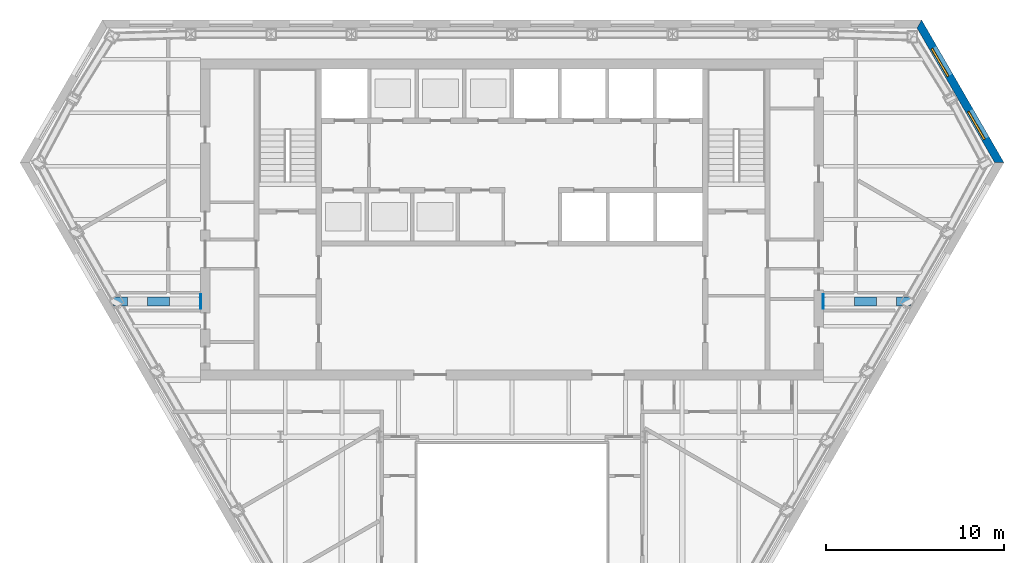
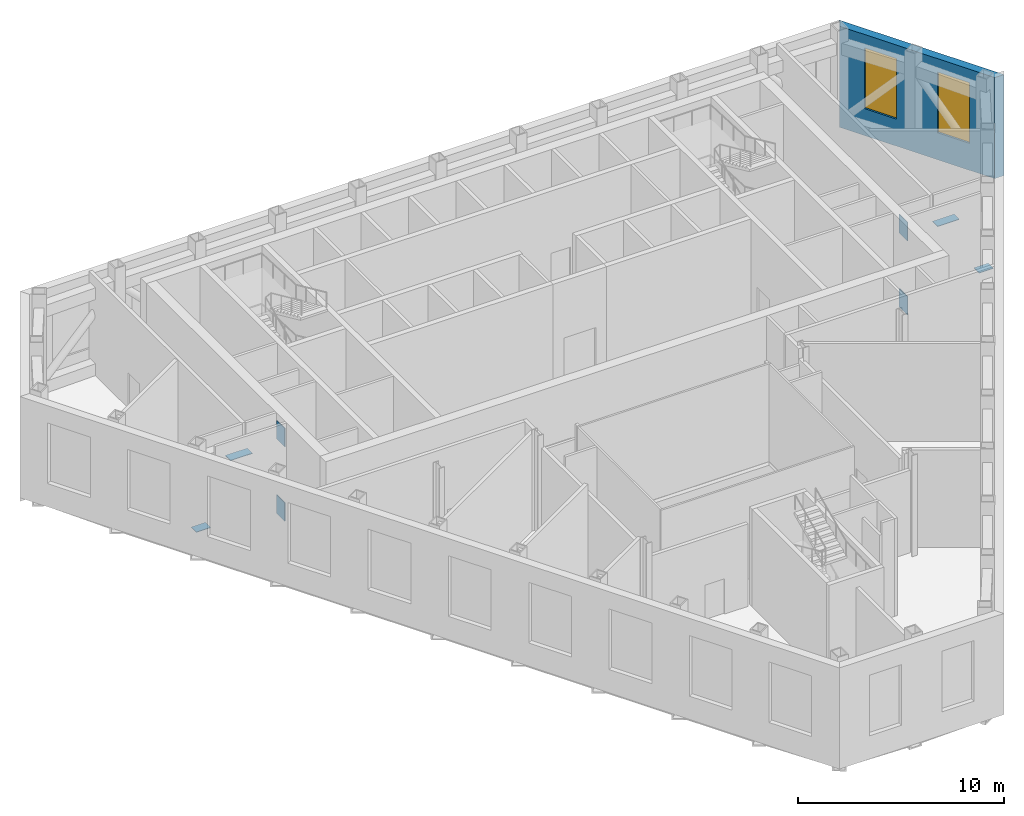
# One storey, part 11 of 15: 8 discrete accessories, 2 shading devices, 1 wall, 2 openings.
"""IFC4 building model written with IfcOpenShell, lengths in metres."""

from ifc_helpers import new_model, si_unit, direction, frame, frame_2d, origin, place, context, subcontext, project, spatial, polyline, rectangle, outline, extrude, material, layer, layer_set, type_object, element, fill, save


model = new_model("IFC4")

# Units and contexts
model_context = context("Model", 3, precision=1e-05, world=origin(), true_north=direction((0.0, 1.0)))
body_context = subcontext(model_context, "Body", "Model", "MODEL_VIEW")
ifc_project = project(units=[si_unit("LENGTHUNIT", "METRE"), si_unit("AREAUNIT", "SQUARE_METRE"), si_unit("VOLUMEUNIT", "CUBIC_METRE"), si_unit("PLANEANGLEUNIT", "RADIAN"), si_unit("MASSUNIT", "GRAM", prefix="KILO")], contexts=[model_context])

# Site, building, storey
site_placement = place(None, origin())
site = spatial("IfcSite", under=ifc_project, at=site_placement, CompositionType="ELEMENT")
building_placement = place(site_placement, origin())
building = spatial("IfcBuilding", under=site, at=building_placement, Name="Njiva Tower", CompositionType="ELEMENT")
storey_placement = place(building_placement, frame((0.0, 0.0, 133.8)))
storey = spatial("IfcBuildingStorey", under=building, at=storey_placement, Name="L28", CompositionType="ELEMENT", Elevation=133.8)

# Wall, openings, shading devices
ifc_material_1 = material(Name="Brick masonry, buff", Category="masonry")
ifc_layer_1 = layer(ifc_material_1, 0.45)
ifc_layer_set_1 = layer_set([ifc_layer_1], Name="Brick masonry, buff")
wall_type = type_object("IfcWallType", Name="WT94 Brick pier and spandrel wall 450, buff", PredefinedType="SOLIDWALL", material=ifc_layer_set_1)
wall_placement = place(storey_placement, frame((27.3614, 12.1958, -0.4), z_axis=(0.0, 0.0, 1.0), x_axis=(-0.500003921696, 0.86602313958, 0.0)))
wall = element("IfcWall", 1, at=wall_placement, inside=storey, type_object=wall_type, Name="Facade wall NE", PredefinedType="SOLIDWALL", context=body_context, shape_type="SweptSolid", body=[
    extrude(outline(polyline([(-0.1299, -0.225), (9.11, -0.225), (8.8502, 0.225), (0.1299, 0.225), (-0.1299, -0.225)])), origin(), (0.0, 0.0, 1.0), 6.0),
])
opening_1_placement = place(wall_placement, frame((1.5494, 0.0, 1.6)))
opening_1 = element("IfcOpeningElement", 2, at=opening_1_placement, cuts=wall, Name="Opening T2-LV35", PredefinedType="OPENING", context=body_context, shape_type="SweptSolid", body=[
    extrude(rectangle(XDim=1.8, YDim=3.6, at=frame_2d((0.9, 1.8))), frame((0.0, 0.235, 0.0), z_axis=(0.0, -1.0, 0.0), x_axis=(1.0, 0.0, 0.0)), (0.0, 0.0, 1.0), 0.47),
])
opening_2_placement = place(wall_placement, frame((5.6307, 0.0, 1.6)))
opening_2 = element("IfcOpeningElement", 3, at=opening_2_placement, cuts=wall, Name="Opening T2-LV36", PredefinedType="OPENING", context=body_context, shape_type="SweptSolid", body=[
    extrude(rectangle(XDim=1.8, YDim=3.6, at=frame_2d((0.9, 1.8))), frame((0.0, 0.235, 0.0), z_axis=(0.0, -1.0, 0.0), x_axis=(1.0, 0.0, 0.0)), (0.0, 0.0, 1.0), 0.47),
])
ifc_material_2 = material(Name="Aluminium louvre blades", Category="aluminium")
shading_device_type = type_object("IfcShadingDeviceType", Name="LV2 Plant louvre 1800x3600", PredefinedType="JALOUSIE", material=ifc_material_2)
shading_device_1_placement = place(opening_1_placement, origin())
shading_device_1 = element("IfcShadingDevice", 4, at=shading_device_1_placement, inside=storey, type_object=shading_device_type, Name="Plant louvre", PredefinedType="JALOUSIE", context=body_context, shape_type="SweptSolid", body=[
    extrude(rectangle(XDim=1.8, YDim=3.6, at=frame_2d((0.9, 1.8))), frame((0.0, 0.125, 0.0), z_axis=(0.0, -1.0, 0.0), x_axis=(1.0, 0.0, 0.0)), (0.0, 0.0, 1.0), 0.1),
])
fill(opening_1, shading_device_1)
shading_device_2_placement = place(opening_2_placement, origin())
shading_device_2 = element("IfcShadingDevice", 5, at=shading_device_2_placement, inside=storey, type_object=shading_device_type, Name="Plant louvre", PredefinedType="JALOUSIE", context=body_context, shape_type="SweptSolid", body=[
    extrude(rectangle(XDim=1.8, YDim=3.6, at=frame_2d((0.9, 1.8))), frame((0.0, 0.125, 0.0), z_axis=(0.0, -1.0, 0.0), x_axis=(1.0, 0.0, 0.0)), (0.0, 0.0, 1.0), 0.1),
])
fill(opening_2, shading_device_2)

# Discrete accessories
ifc_material_3 = material(Name="Steel S355 J2", Category="steel")
ifc_layer_2 = layer(ifc_material_3, 0.04)
ifc_layer_set_2 = layer_set([ifc_layer_2], Name="Steel S355 J2")
discrete_accessory_type_1 = type_object("IfcDiscreteAccessoryType", Name="AP1 Cast-in anchor plate 40", PredefinedType="ANCHORPLATE", material=ifc_layer_set_2)
for number, where, name in (
    (6, (-17.48, 4.389, -0.15), "Cast-in anchor plate T2-AP01"),
    (7, (-17.48, 4.389, 4.26), "Cast-in anchor plate T2-AP02"),
):
    element("IfcDiscreteAccessory", number, at=place(storey_placement, frame(where)), inside=storey, type_object=discrete_accessory_type_1, Name=name, PredefinedType="ANCHORPLATE", context=body_context, shape_type="SweptSolid", body=[
        extrude(outline(polyline([(-0.02, -0.4), (0.02, -0.4), (0.02, 0.4), (-0.02, 0.4), (-0.02, -0.4)])), origin(), (0.0, 0.0, 1.0), 1.1),
    ])
for number, where, name in (
    (8, (17.48, 4.389, -0.15), "Cast-in anchor plate T2-AP03"),
    (9, (17.48, 4.389, 4.26), "Cast-in anchor plate T2-AP04"),
):
    element("IfcDiscreteAccessory", number, at=place(storey_placement, frame(where)), inside=storey, type_object=discrete_accessory_type_1, Name=name, PredefinedType="ANCHORPLATE", context=body_context, shape_type="SweptSolid", body=[
        extrude(outline(polyline([(0.02, 0.4), (-0.02, 0.4), (-0.02, -0.4), (0.02, -0.4), (0.02, 0.4)])), origin(), (0.0, 0.0, 1.0), 1.1),
    ])
ifc_layer_3 = layer(ifc_material_3, 0.03)
ifc_layer_set_3 = layer_set([ifc_layer_3], Name="Steel S355 J2")
discrete_accessory_type_2 = type_object("IfcDiscreteAccessoryType", Name="GP1 Truss node gusset plate 30", PredefinedType="USERDEFINED", material=ifc_layer_set_3)
discrete_accessory_1_placement = place(storey_placement, frame((-21.9802, 4.389, 0.8)))
element("IfcDiscreteAccessory", 10, at=discrete_accessory_1_placement, inside=storey, type_object=discrete_accessory_type_2, Name="Truss node gusset plate T2-GP01", ObjectType="GUSSET PLATE", PredefinedType="USERDEFINED", context=body_context, shape_type="SweptSolid", body=[
    extrude(outline(polyline([(-0.4, -0.25), (0.4, -0.25), (0.4, 0.25), (-0.4, 0.25), (-0.4, -0.25)])), origin(), (0.0, 0.0, 1.0), 0.03),
])
discrete_accessory_2_placement = place(storey_placement, frame((-19.8465, 4.389, 4.38)))
element("IfcDiscreteAccessory", 11, at=discrete_accessory_2_placement, inside=storey, type_object=discrete_accessory_type_2, Name="Truss node gusset plate T2-GP02", ObjectType="GUSSET PLATE", PredefinedType="USERDEFINED", context=body_context, shape_type="SweptSolid", body=[
    extrude(outline(polyline([(-0.6128, -0.25), (0.6128, -0.25), (0.6128, 0.25), (-0.6128, 0.25), (-0.6128, -0.25)])), origin(), (0.0, 0.0, 1.0), 0.03),
])
discrete_accessory_3_placement = place(storey_placement, frame((19.8465, 4.389, 4.38)))
element("IfcDiscreteAccessory", 12, at=discrete_accessory_3_placement, inside=storey, type_object=discrete_accessory_type_2, Name="Truss node gusset plate T2-GP03", ObjectType="GUSSET PLATE", PredefinedType="USERDEFINED", context=body_context, shape_type="SweptSolid", body=[
    extrude(outline(polyline([(0.6128, 0.25), (-0.6128, 0.25), (-0.6128, -0.25), (0.6128, -0.25), (0.6128, 0.25)])), origin(), (0.0, 0.0, 1.0), 0.03),
])
discrete_accessory_4_placement = place(storey_placement, frame((21.9802, 4.389, 0.8)))
element("IfcDiscreteAccessory", 13, at=discrete_accessory_4_placement, inside=storey, type_object=discrete_accessory_type_2, Name="Truss node gusset plate T2-GP04", ObjectType="GUSSET PLATE", PredefinedType="USERDEFINED", context=body_context, shape_type="SweptSolid", body=[
    extrude(outline(polyline([(0.4, 0.25), (-0.4, 0.25), (-0.4, -0.25), (0.4, -0.25), (0.4, 0.25)])), origin(), (0.0, 0.0, 1.0), 0.03),
])

save(model, "model.ifc")
